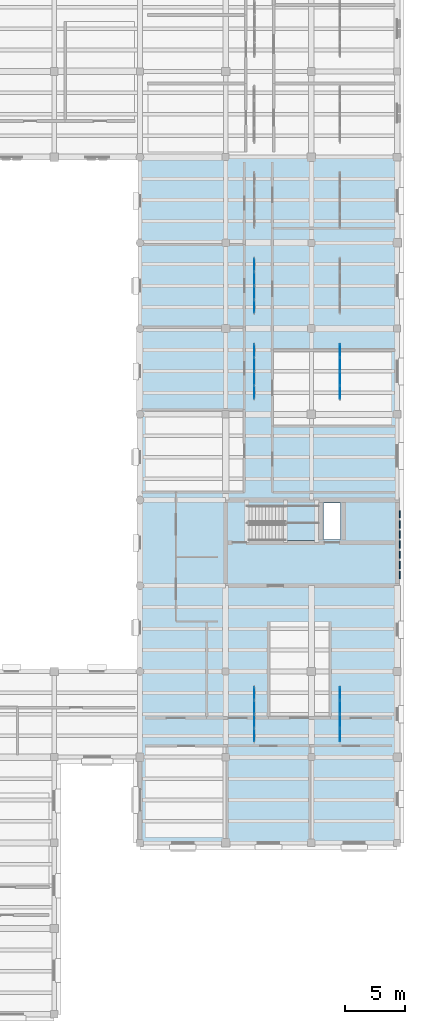
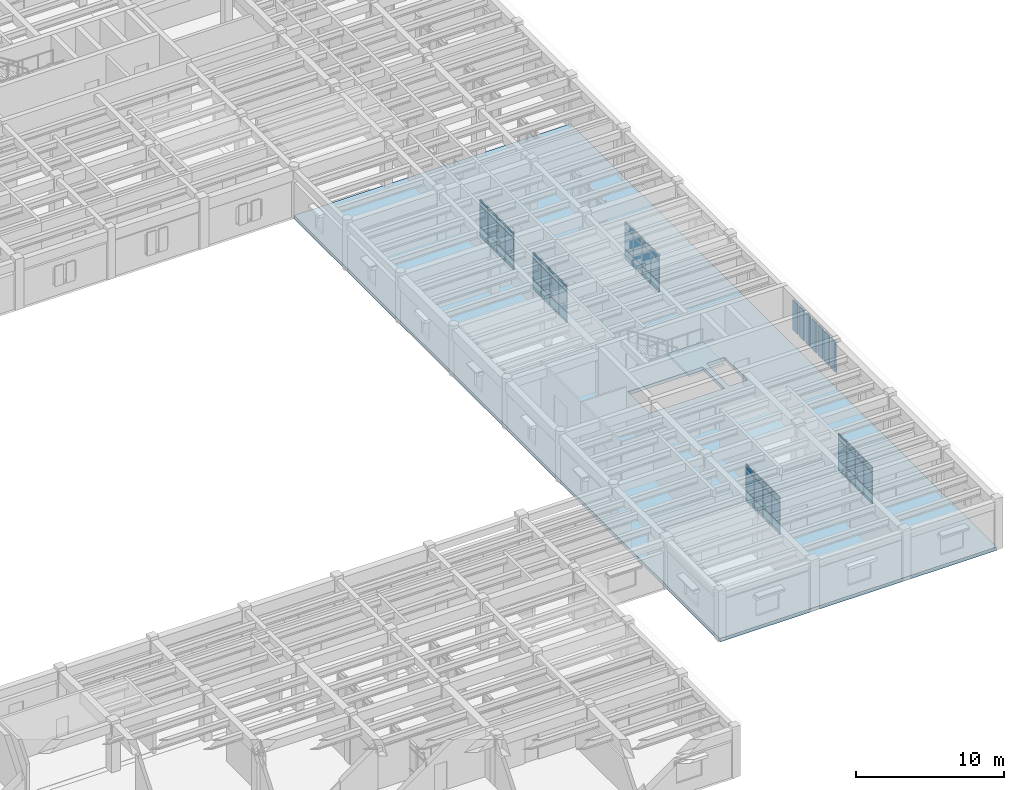
# One storey, part 31 of 66: 67 plates, 2 slabs, 6 elements without a shape of their own.
"""IFC4 building model written with IfcOpenShell, lengths in metres."""

from ifc_helpers import new_model, si_unit, direction, frame, origin, origin_2d, place, context, subcontext, project, spatial, polyline, rectangle, outline, extrude, material, layer, layer_set, type_object, element, aggregate, save


model = new_model("IFC4")

# Units and contexts
model_context = context("Model", 3, precision=1e-05, world=origin(), true_north=direction((0.0, 1.0)))
body_context = subcontext(model_context, "Body", "Model", "MODEL_VIEW")
ifc_project = project(units=[si_unit("LENGTHUNIT", "METRE"), si_unit("AREAUNIT", "SQUARE_METRE"), si_unit("VOLUMEUNIT", "CUBIC_METRE"), si_unit("PLANEANGLEUNIT", "RADIAN"), si_unit("MASSUNIT", "GRAM", prefix="KILO")], contexts=[model_context])

# Site, building, storey
site_placement = place(None, origin())
site = spatial("IfcSite", under=ifc_project, at=site_placement, CompositionType="ELEMENT")
building_placement = place(site_placement, origin())
building = spatial("IfcBuilding", under=site, at=building_placement, Name="Mithqara Police Headquarters", CompositionType="ELEMENT")
storey_placement = place(building_placement, frame((0.0, 0.0, 9.60009765625)))
storey = spatial("IfcBuildingStorey", under=building, at=storey_placement, Name="L02", CompositionType="ELEMENT", Elevation=9.60009765625)

# Curtain wall, plates
ifc_material_1 = material(Name="Bronze anodised aluminium 6063-T6", Category="aluminium")
curtain_wall_type = type_object("IfcCurtainWallType", Name="CURTAIN WALL 4700X3220", PredefinedType="USERDEFINED", material=ifc_material_1)
curtain_wall_1_placement = place(storey_placement, origin())
curtain_wall_1 = element("IfcCurtainWall", 1, at=curtain_wall_1_placement, inside=storey, type_object=curtain_wall_type, Name="L02 Unitised Glazing CW-16 (CW-INT-L02-X21-Y04-0)", ObjectType="UNITISED GLAZING", PredefinedType="USERDEFINED")
ifc_material_2 = material(Name="Spectrally selective double low-e glass", Category="glass")
ifc_layer_1 = layer(ifc_material_2, 0.028076171875, Name="Spectrally selective double low-e glass")
ifc_layer_set_1 = layer_set([ifc_layer_1], Name="Spectrally selective double low-e glass")
plate_type_1 = type_object("IfcPlateType", Name="CWPANEL GLASS28", PredefinedType="CURTAIN_PANEL", material=ifc_layer_set_1)
plate_1_placement = place(storey_placement, frame((154.199951171875, 30.05615234375, 0.074951171875), z_axis=(0.0, 0.0, 1.0), x_axis=(0.0, 1.0, 0.0)))
plate_1 = element("IfcPlate", 2, at=plate_1_placement, type_object=plate_type_1, Name="CW-16 panel 1.1", PredefinedType="CURTAIN_PANEL", context=body_context, shape_type="SweptSolid", body=[
    extrude(rectangle(XDim=1.0625, YDim=0.028076171875, at=origin_2d()), origin(), (0.0, 0.0, 1.0), 0.78759765625),
])
plate_2_placement = place(storey_placement, frame((154.199951171875, 30.05615234375, 0.9375), z_axis=(0.0, 0.0, 1.0), x_axis=(0.0, 1.0, 0.0)))
plate_2 = element("IfcPlate", 3, at=plate_2_placement, type_object=plate_type_1, Name="CW-16 panel 1.2", PredefinedType="CURTAIN_PANEL", context=body_context, shape_type="SweptSolid", body=[
    extrude(rectangle(XDim=1.0625, YDim=0.028076171875, at=origin_2d()), origin(), (0.0, 0.0, 1.0), 1.695068359375),
])
plate_3_placement = place(storey_placement, frame((154.199951171875, 30.05615234375, 2.70751953125), z_axis=(0.0, 0.0, 1.0), x_axis=(0.0, 1.0, 0.0)))
plate_3 = element("IfcPlate", 4, at=plate_3_placement, type_object=plate_type_1, Name="CW-16 panel 1.3", PredefinedType="CURTAIN_PANEL", context=body_context, shape_type="SweptSolid", body=[
    extrude(rectangle(XDim=1.0625, YDim=0.028076171875, at=origin_2d()), origin(), (0.0, 0.0, 1.0), 0.4375),
])
plate_4_placement = place(storey_placement, frame((154.199951171875, 31.21240234375, 0.074951171875), z_axis=(0.0, 0.0, 1.0), x_axis=(0.0, 1.0, 0.0)))
plate_4 = element("IfcPlate", 5, at=plate_4_placement, type_object=plate_type_1, Name="CW-16 panel 2.1", PredefinedType="CURTAIN_PANEL", context=body_context, shape_type="SweptSolid", body=[
    extrude(rectangle(XDim=1.10009765625, YDim=0.028076171875, at=origin_2d()), origin(), (0.0, 0.0, 1.0), 0.78759765625),
])
plate_5_placement = place(storey_placement, frame((154.199951171875, 31.21240234375, 0.9375), z_axis=(0.0, 0.0, 1.0), x_axis=(0.0, 1.0, 0.0)))
plate_5 = element("IfcPlate", 6, at=plate_5_placement, type_object=plate_type_1, Name="CW-16 panel 2.2", PredefinedType="CURTAIN_PANEL", context=body_context, shape_type="SweptSolid", body=[
    extrude(rectangle(XDim=1.10009765625, YDim=0.028076171875, at=origin_2d()), origin(), (0.0, 0.0, 1.0), 1.695068359375),
])
plate_6_placement = place(storey_placement, frame((154.199951171875, 31.21240234375, 2.70751953125), z_axis=(0.0, 0.0, 1.0), x_axis=(0.0, 1.0, 0.0)))
plate_6 = element("IfcPlate", 7, at=plate_6_placement, type_object=plate_type_1, Name="CW-16 panel 2.3", PredefinedType="CURTAIN_PANEL", context=body_context, shape_type="SweptSolid", body=[
    extrude(rectangle(XDim=1.10009765625, YDim=0.028076171875, at=origin_2d()), origin(), (0.0, 0.0, 1.0), 0.4375),
])
plate_7_placement = place(storey_placement, frame((154.199951171875, 32.387451171875, 0.074951171875), z_axis=(0.0, 0.0, 1.0), x_axis=(0.0, 1.0, 0.0)))
plate_7 = element("IfcPlate", 8, at=plate_7_placement, type_object=plate_type_1, Name="CW-16 panel 3.1", PredefinedType="CURTAIN_PANEL", context=body_context, shape_type="SweptSolid", body=[
    extrude(rectangle(XDim=1.10009765625, YDim=0.028076171875, at=origin_2d()), origin(), (0.0, 0.0, 1.0), 0.78759765625),
])
plate_8_placement = place(storey_placement, frame((154.199951171875, 32.387451171875, 0.9375), z_axis=(0.0, 0.0, 1.0), x_axis=(0.0, 1.0, 0.0)))
plate_8 = element("IfcPlate", 9, at=plate_8_placement, type_object=plate_type_1, Name="CW-16 panel 3.2", PredefinedType="CURTAIN_PANEL", context=body_context, shape_type="SweptSolid", body=[
    extrude(rectangle(XDim=1.10009765625, YDim=0.028076171875, at=origin_2d()), origin(), (0.0, 0.0, 1.0), 1.695068359375),
])
plate_9_placement = place(storey_placement, frame((154.199951171875, 32.387451171875, 2.70751953125), z_axis=(0.0, 0.0, 1.0), x_axis=(0.0, 1.0, 0.0)))
plate_9 = element("IfcPlate", 10, at=plate_9_placement, type_object=plate_type_1, Name="CW-16 panel 3.3", PredefinedType="CURTAIN_PANEL", context=body_context, shape_type="SweptSolid", body=[
    extrude(rectangle(XDim=1.10009765625, YDim=0.028076171875, at=origin_2d()), origin(), (0.0, 0.0, 1.0), 0.4375),
])
plate_10_placement = place(storey_placement, frame((154.199951171875, 33.543701171875, 0.074951171875), z_axis=(0.0, 0.0, 1.0), x_axis=(0.0, 1.0, 0.0)))
plate_10 = element("IfcPlate", 11, at=plate_10_placement, type_object=plate_type_1, Name="CW-16 panel 4.1", PredefinedType="CURTAIN_PANEL", context=body_context, shape_type="SweptSolid", body=[
    extrude(rectangle(XDim=1.0625, YDim=0.028076171875, at=origin_2d()), origin(), (0.0, 0.0, 1.0), 0.78759765625),
])
plate_11_placement = place(storey_placement, frame((154.199951171875, 33.543701171875, 0.9375), z_axis=(0.0, 0.0, 1.0), x_axis=(0.0, 1.0, 0.0)))
plate_11 = element("IfcPlate", 12, at=plate_11_placement, type_object=plate_type_1, Name="CW-16 panel 4.2", PredefinedType="CURTAIN_PANEL", context=body_context, shape_type="SweptSolid", body=[
    extrude(rectangle(XDim=1.0625, YDim=0.028076171875, at=origin_2d()), origin(), (0.0, 0.0, 1.0), 1.695068359375),
])
plate_12_placement = place(storey_placement, frame((154.199951171875, 33.543701171875, 2.70751953125), z_axis=(0.0, 0.0, 1.0), x_axis=(0.0, 1.0, 0.0)))
plate_12 = element("IfcPlate", 13, at=plate_12_placement, type_object=plate_type_1, Name="CW-16 panel 4.3", PredefinedType="CURTAIN_PANEL", context=body_context, shape_type="SweptSolid", body=[
    extrude(rectangle(XDim=1.0625, YDim=0.028076171875, at=origin_2d()), origin(), (0.0, 0.0, 1.0), 0.4375),
])
aggregate(curtain_wall_1, [plate_1, plate_2, plate_3, plate_4, plate_5, plate_6, plate_7, plate_8, plate_9, plate_10, plate_11, plate_12])

curtain_wall_2_placement = place(storey_placement, origin())
curtain_wall_2 = element("IfcCurtainWall", 14, at=curtain_wall_2_placement, inside=storey, type_object=curtain_wall_type, Name="L02 Unitised Glazing CW-16 (CW-INT-L02-X21-Y08-0)", ObjectType="UNITISED GLAZING", PredefinedType="USERDEFINED")
plate_13_placement = place(storey_placement, frame((154.199951171875, 58.856201171875, 0.074951171875), z_axis=(0.0, 0.0, 1.0), x_axis=(0.0, 1.0, 0.0)))
plate_13 = element("IfcPlate", 15, at=plate_13_placement, type_object=plate_type_1, Name="CW-16 panel 1.1", PredefinedType="CURTAIN_PANEL", context=body_context, shape_type="SweptSolid", body=[
    extrude(rectangle(XDim=1.0625, YDim=0.028076171875, at=origin_2d()), origin(), (0.0, 0.0, 1.0), 0.78759765625),
])
plate_14_placement = place(storey_placement, frame((154.199951171875, 58.856201171875, 0.9375), z_axis=(0.0, 0.0, 1.0), x_axis=(0.0, 1.0, 0.0)))
plate_14 = element("IfcPlate", 16, at=plate_14_placement, type_object=plate_type_1, Name="CW-16 panel 1.2", PredefinedType="CURTAIN_PANEL", context=body_context, shape_type="SweptSolid", body=[
    extrude(rectangle(XDim=1.0625, YDim=0.028076171875, at=origin_2d()), origin(), (0.0, 0.0, 1.0), 1.695068359375),
])
plate_15_placement = place(storey_placement, frame((154.199951171875, 58.856201171875, 2.70751953125), z_axis=(0.0, 0.0, 1.0), x_axis=(0.0, 1.0, 0.0)))
plate_15 = element("IfcPlate", 17, at=plate_15_placement, type_object=plate_type_1, Name="CW-16 panel 1.3", PredefinedType="CURTAIN_PANEL", context=body_context, shape_type="SweptSolid", body=[
    extrude(rectangle(XDim=1.0625, YDim=0.028076171875, at=origin_2d()), origin(), (0.0, 0.0, 1.0), 0.4375),
])
plate_16_placement = place(storey_placement, frame((154.199951171875, 60.012451171875, 0.074951171875), z_axis=(0.0, 0.0, 1.0), x_axis=(0.0, 1.0, 0.0)))
plate_16 = element("IfcPlate", 18, at=plate_16_placement, type_object=plate_type_1, Name="CW-16 panel 2.1", PredefinedType="CURTAIN_PANEL", context=body_context, shape_type="SweptSolid", body=[
    extrude(rectangle(XDim=1.10009765625, YDim=0.028076171875, at=origin_2d()), origin(), (0.0, 0.0, 1.0), 0.78759765625),
])
plate_17_placement = place(storey_placement, frame((154.199951171875, 60.012451171875, 0.9375), z_axis=(0.0, 0.0, 1.0), x_axis=(0.0, 1.0, 0.0)))
plate_17 = element("IfcPlate", 19, at=plate_17_placement, type_object=plate_type_1, Name="CW-16 panel 2.2", PredefinedType="CURTAIN_PANEL", context=body_context, shape_type="SweptSolid", body=[
    extrude(rectangle(XDim=1.10009765625, YDim=0.028076171875, at=origin_2d()), origin(), (0.0, 0.0, 1.0), 1.695068359375),
])
plate_18_placement = place(storey_placement, frame((154.199951171875, 60.012451171875, 2.70751953125), z_axis=(0.0, 0.0, 1.0), x_axis=(0.0, 1.0, 0.0)))
plate_18 = element("IfcPlate", 20, at=plate_18_placement, type_object=plate_type_1, Name="CW-16 panel 2.3", PredefinedType="CURTAIN_PANEL", context=body_context, shape_type="SweptSolid", body=[
    extrude(rectangle(XDim=1.10009765625, YDim=0.028076171875, at=origin_2d()), origin(), (0.0, 0.0, 1.0), 0.4375),
])
plate_19_placement = place(storey_placement, frame((154.199951171875, 61.1875, 0.074951171875), z_axis=(0.0, 0.0, 1.0), x_axis=(0.0, 1.0, 0.0)))
plate_19 = element("IfcPlate", 21, at=plate_19_placement, type_object=plate_type_1, Name="CW-16 panel 3.1", PredefinedType="CURTAIN_PANEL", context=body_context, shape_type="SweptSolid", body=[
    extrude(rectangle(XDim=1.10009765625, YDim=0.028076171875, at=origin_2d()), origin(), (0.0, 0.0, 1.0), 0.78759765625),
])
plate_20_placement = place(storey_placement, frame((154.199951171875, 61.1875, 0.9375), z_axis=(0.0, 0.0, 1.0), x_axis=(0.0, 1.0, 0.0)))
plate_20 = element("IfcPlate", 22, at=plate_20_placement, type_object=plate_type_1, Name="CW-16 panel 3.2", PredefinedType="CURTAIN_PANEL", context=body_context, shape_type="SweptSolid", body=[
    extrude(rectangle(XDim=1.10009765625, YDim=0.028076171875, at=origin_2d()), origin(), (0.0, 0.0, 1.0), 1.695068359375),
])
plate_21_placement = place(storey_placement, frame((154.199951171875, 61.1875, 2.70751953125), z_axis=(0.0, 0.0, 1.0), x_axis=(0.0, 1.0, 0.0)))
plate_21 = element("IfcPlate", 23, at=plate_21_placement, type_object=plate_type_1, Name="CW-16 panel 3.3", PredefinedType="CURTAIN_PANEL", context=body_context, shape_type="SweptSolid", body=[
    extrude(rectangle(XDim=1.10009765625, YDim=0.028076171875, at=origin_2d()), origin(), (0.0, 0.0, 1.0), 0.4375),
])
plate_22_placement = place(storey_placement, frame((154.199951171875, 62.34375, 0.074951171875), z_axis=(0.0, 0.0, 1.0), x_axis=(0.0, 1.0, 0.0)))
plate_22 = element("IfcPlate", 24, at=plate_22_placement, type_object=plate_type_1, Name="CW-16 panel 4.1", PredefinedType="CURTAIN_PANEL", context=body_context, shape_type="SweptSolid", body=[
    extrude(rectangle(XDim=1.0625, YDim=0.028076171875, at=origin_2d()), origin(), (0.0, 0.0, 1.0), 0.78759765625),
])
plate_23_placement = place(storey_placement, frame((154.199951171875, 62.34375, 0.9375), z_axis=(0.0, 0.0, 1.0), x_axis=(0.0, 1.0, 0.0)))
plate_23 = element("IfcPlate", 25, at=plate_23_placement, type_object=plate_type_1, Name="CW-16 panel 4.2", PredefinedType="CURTAIN_PANEL", context=body_context, shape_type="SweptSolid", body=[
    extrude(rectangle(XDim=1.0625, YDim=0.028076171875, at=origin_2d()), origin(), (0.0, 0.0, 1.0), 1.695068359375),
])
plate_24_placement = place(storey_placement, frame((154.199951171875, 62.34375, 2.70751953125), z_axis=(0.0, 0.0, 1.0), x_axis=(0.0, 1.0, 0.0)))
plate_24 = element("IfcPlate", 26, at=plate_24_placement, type_object=plate_type_1, Name="CW-16 panel 4.3", PredefinedType="CURTAIN_PANEL", context=body_context, shape_type="SweptSolid", body=[
    extrude(rectangle(XDim=1.0625, YDim=0.028076171875, at=origin_2d()), origin(), (0.0, 0.0, 1.0), 0.4375),
])
aggregate(curtain_wall_2, [plate_13, plate_14, plate_15, plate_16, plate_17, plate_18, plate_19, plate_20, plate_21, plate_22, plate_23, plate_24])

curtain_wall_3_placement = place(storey_placement, origin())
curtain_wall_3 = element("IfcCurtainWall", 27, at=curtain_wall_3_placement, inside=storey, type_object=curtain_wall_type, Name="L02 Unitised Glazing CW-16 (CW-INT-L02-X21-Y09-0)", ObjectType="UNITISED GLAZING", PredefinedType="USERDEFINED")
plate_25_placement = place(storey_placement, frame((154.199951171875, 66.05615234375, 0.074951171875), z_axis=(0.0, 0.0, 1.0), x_axis=(0.0, 1.0, 0.0)))
plate_25 = element("IfcPlate", 28, at=plate_25_placement, type_object=plate_type_1, Name="CW-16 panel 1.1", PredefinedType="CURTAIN_PANEL", context=body_context, shape_type="SweptSolid", body=[
    extrude(rectangle(XDim=1.0625, YDim=0.028076171875, at=origin_2d()), origin(), (0.0, 0.0, 1.0), 0.78759765625),
])
plate_26_placement = place(storey_placement, frame((154.199951171875, 66.05615234375, 0.9375), z_axis=(0.0, 0.0, 1.0), x_axis=(0.0, 1.0, 0.0)))
plate_26 = element("IfcPlate", 29, at=plate_26_placement, type_object=plate_type_1, Name="CW-16 panel 1.2", PredefinedType="CURTAIN_PANEL", context=body_context, shape_type="SweptSolid", body=[
    extrude(rectangle(XDim=1.0625, YDim=0.028076171875, at=origin_2d()), origin(), (0.0, 0.0, 1.0), 1.695068359375),
])
plate_27_placement = place(storey_placement, frame((154.199951171875, 66.05615234375, 2.70751953125), z_axis=(0.0, 0.0, 1.0), x_axis=(0.0, 1.0, 0.0)))
plate_27 = element("IfcPlate", 30, at=plate_27_placement, type_object=plate_type_1, Name="CW-16 panel 1.3", PredefinedType="CURTAIN_PANEL", context=body_context, shape_type="SweptSolid", body=[
    extrude(rectangle(XDim=1.0625, YDim=0.028076171875, at=origin_2d()), origin(), (0.0, 0.0, 1.0), 0.4375),
])
plate_28_placement = place(storey_placement, frame((154.199951171875, 67.21240234375, 0.074951171875), z_axis=(0.0, 0.0, 1.0), x_axis=(0.0, 1.0, 0.0)))
plate_28 = element("IfcPlate", 31, at=plate_28_placement, type_object=plate_type_1, Name="CW-16 panel 2.1", PredefinedType="CURTAIN_PANEL", context=body_context, shape_type="SweptSolid", body=[
    extrude(rectangle(XDim=1.10009765625, YDim=0.028076171875, at=origin_2d()), origin(), (0.0, 0.0, 1.0), 0.78759765625),
])
plate_29_placement = place(storey_placement, frame((154.199951171875, 67.21240234375, 0.9375), z_axis=(0.0, 0.0, 1.0), x_axis=(0.0, 1.0, 0.0)))
plate_29 = element("IfcPlate", 32, at=plate_29_placement, type_object=plate_type_1, Name="CW-16 panel 2.2", PredefinedType="CURTAIN_PANEL", context=body_context, shape_type="SweptSolid", body=[
    extrude(rectangle(XDim=1.10009765625, YDim=0.028076171875, at=origin_2d()), origin(), (0.0, 0.0, 1.0), 1.695068359375),
])
plate_30_placement = place(storey_placement, frame((154.199951171875, 67.21240234375, 2.70751953125), z_axis=(0.0, 0.0, 1.0), x_axis=(0.0, 1.0, 0.0)))
plate_30 = element("IfcPlate", 33, at=plate_30_placement, type_object=plate_type_1, Name="CW-16 panel 2.3", PredefinedType="CURTAIN_PANEL", context=body_context, shape_type="SweptSolid", body=[
    extrude(rectangle(XDim=1.10009765625, YDim=0.028076171875, at=origin_2d()), origin(), (0.0, 0.0, 1.0), 0.4375),
])
plate_31_placement = place(storey_placement, frame((154.199951171875, 68.387451171875, 0.074951171875), z_axis=(0.0, 0.0, 1.0), x_axis=(0.0, 1.0, 0.0)))
plate_31 = element("IfcPlate", 34, at=plate_31_placement, type_object=plate_type_1, Name="CW-16 panel 3.1", PredefinedType="CURTAIN_PANEL", context=body_context, shape_type="SweptSolid", body=[
    extrude(rectangle(XDim=1.10009765625, YDim=0.028076171875, at=origin_2d()), origin(), (0.0, 0.0, 1.0), 0.78759765625),
])
plate_32_placement = place(storey_placement, frame((154.199951171875, 68.387451171875, 0.9375), z_axis=(0.0, 0.0, 1.0), x_axis=(0.0, 1.0, 0.0)))
plate_32 = element("IfcPlate", 35, at=plate_32_placement, type_object=plate_type_1, Name="CW-16 panel 3.2", PredefinedType="CURTAIN_PANEL", context=body_context, shape_type="SweptSolid", body=[
    extrude(rectangle(XDim=1.10009765625, YDim=0.028076171875, at=origin_2d()), origin(), (0.0, 0.0, 1.0), 1.695068359375),
])
plate_33_placement = place(storey_placement, frame((154.199951171875, 68.387451171875, 2.70751953125), z_axis=(0.0, 0.0, 1.0), x_axis=(0.0, 1.0, 0.0)))
plate_33 = element("IfcPlate", 36, at=plate_33_placement, type_object=plate_type_1, Name="CW-16 panel 3.3", PredefinedType="CURTAIN_PANEL", context=body_context, shape_type="SweptSolid", body=[
    extrude(rectangle(XDim=1.10009765625, YDim=0.028076171875, at=origin_2d()), origin(), (0.0, 0.0, 1.0), 0.4375),
])
plate_34_placement = place(storey_placement, frame((154.199951171875, 69.543701171875, 0.074951171875), z_axis=(0.0, 0.0, 1.0), x_axis=(0.0, 1.0, 0.0)))
plate_34 = element("IfcPlate", 37, at=plate_34_placement, type_object=plate_type_1, Name="CW-16 panel 4.1", PredefinedType="CURTAIN_PANEL", context=body_context, shape_type="SweptSolid", body=[
    extrude(rectangle(XDim=1.0625, YDim=0.028076171875, at=origin_2d()), origin(), (0.0, 0.0, 1.0), 0.78759765625),
])
plate_35_placement = place(storey_placement, frame((154.199951171875, 69.543701171875, 0.9375), z_axis=(0.0, 0.0, 1.0), x_axis=(0.0, 1.0, 0.0)))
plate_35 = element("IfcPlate", 38, at=plate_35_placement, type_object=plate_type_1, Name="CW-16 panel 4.2", PredefinedType="CURTAIN_PANEL", context=body_context, shape_type="SweptSolid", body=[
    extrude(rectangle(XDim=1.0625, YDim=0.028076171875, at=origin_2d()), origin(), (0.0, 0.0, 1.0), 1.695068359375),
])
plate_36_placement = place(storey_placement, frame((154.199951171875, 69.543701171875, 2.70751953125), z_axis=(0.0, 0.0, 1.0), x_axis=(0.0, 1.0, 0.0)))
plate_36 = element("IfcPlate", 39, at=plate_36_placement, type_object=plate_type_1, Name="CW-16 panel 4.3", PredefinedType="CURTAIN_PANEL", context=body_context, shape_type="SweptSolid", body=[
    extrude(rectangle(XDim=1.0625, YDim=0.028076171875, at=origin_2d()), origin(), (0.0, 0.0, 1.0), 0.4375),
])
aggregate(curtain_wall_3, [plate_25, plate_26, plate_27, plate_28, plate_29, plate_30, plate_31, plate_32, plate_33, plate_34, plate_35, plate_36])

curtain_wall_4_placement = place(storey_placement, origin())
curtain_wall_4 = element("IfcCurtainWall", 40, at=curtain_wall_4_placement, inside=storey, type_object=curtain_wall_type, Name="L02 Unitised Glazing CW-16 (CW-INT-L02-X22-Y04-0)", ObjectType="UNITISED GLAZING", PredefinedType="USERDEFINED")
plate_37_placement = place(storey_placement, frame((161.39990234375, 30.05615234375, 0.074951171875), z_axis=(0.0, 0.0, 1.0), x_axis=(0.0, 1.0, 0.0)))
plate_37 = element("IfcPlate", 41, at=plate_37_placement, type_object=plate_type_1, Name="CW-16 panel 1.1", PredefinedType="CURTAIN_PANEL", context=body_context, shape_type="SweptSolid", body=[
    extrude(rectangle(XDim=1.0625, YDim=0.028076171875, at=origin_2d()), origin(), (0.0, 0.0, 1.0), 0.78759765625),
])
plate_38_placement = place(storey_placement, frame((161.39990234375, 30.05615234375, 0.9375), z_axis=(0.0, 0.0, 1.0), x_axis=(0.0, 1.0, 0.0)))
plate_38 = element("IfcPlate", 42, at=plate_38_placement, type_object=plate_type_1, Name="CW-16 panel 1.2", PredefinedType="CURTAIN_PANEL", context=body_context, shape_type="SweptSolid", body=[
    extrude(rectangle(XDim=1.0625, YDim=0.028076171875, at=origin_2d()), origin(), (0.0, 0.0, 1.0), 1.695068359375),
])
plate_39_placement = place(storey_placement, frame((161.39990234375, 30.05615234375, 2.70751953125), z_axis=(0.0, 0.0, 1.0), x_axis=(0.0, 1.0, 0.0)))
plate_39 = element("IfcPlate", 43, at=plate_39_placement, type_object=plate_type_1, Name="CW-16 panel 1.3", PredefinedType="CURTAIN_PANEL", context=body_context, shape_type="SweptSolid", body=[
    extrude(rectangle(XDim=1.0625, YDim=0.028076171875, at=origin_2d()), origin(), (0.0, 0.0, 1.0), 0.4375),
])
plate_40_placement = place(storey_placement, frame((161.39990234375, 31.21240234375, 0.074951171875), z_axis=(0.0, 0.0, 1.0), x_axis=(0.0, 1.0, 0.0)))
plate_40 = element("IfcPlate", 44, at=plate_40_placement, type_object=plate_type_1, Name="CW-16 panel 2.1", PredefinedType="CURTAIN_PANEL", context=body_context, shape_type="SweptSolid", body=[
    extrude(rectangle(XDim=1.10009765625, YDim=0.028076171875, at=origin_2d()), origin(), (0.0, 0.0, 1.0), 0.78759765625),
])
plate_41_placement = place(storey_placement, frame((161.39990234375, 31.21240234375, 0.9375), z_axis=(0.0, 0.0, 1.0), x_axis=(0.0, 1.0, 0.0)))
plate_41 = element("IfcPlate", 45, at=plate_41_placement, type_object=plate_type_1, Name="CW-16 panel 2.2", PredefinedType="CURTAIN_PANEL", context=body_context, shape_type="SweptSolid", body=[
    extrude(rectangle(XDim=1.10009765625, YDim=0.028076171875, at=origin_2d()), origin(), (0.0, 0.0, 1.0), 1.695068359375),
])
plate_42_placement = place(storey_placement, frame((161.39990234375, 31.21240234375, 2.70751953125), z_axis=(0.0, 0.0, 1.0), x_axis=(0.0, 1.0, 0.0)))
plate_42 = element("IfcPlate", 46, at=plate_42_placement, type_object=plate_type_1, Name="CW-16 panel 2.3", PredefinedType="CURTAIN_PANEL", context=body_context, shape_type="SweptSolid", body=[
    extrude(rectangle(XDim=1.10009765625, YDim=0.028076171875, at=origin_2d()), origin(), (0.0, 0.0, 1.0), 0.4375),
])
plate_43_placement = place(storey_placement, frame((161.39990234375, 32.387451171875, 0.074951171875), z_axis=(0.0, 0.0, 1.0), x_axis=(0.0, 1.0, 0.0)))
plate_43 = element("IfcPlate", 47, at=plate_43_placement, type_object=plate_type_1, Name="CW-16 panel 3.1", PredefinedType="CURTAIN_PANEL", context=body_context, shape_type="SweptSolid", body=[
    extrude(rectangle(XDim=1.10009765625, YDim=0.028076171875, at=origin_2d()), origin(), (0.0, 0.0, 1.0), 0.78759765625),
])
plate_44_placement = place(storey_placement, frame((161.39990234375, 32.387451171875, 0.9375), z_axis=(0.0, 0.0, 1.0), x_axis=(0.0, 1.0, 0.0)))
plate_44 = element("IfcPlate", 48, at=plate_44_placement, type_object=plate_type_1, Name="CW-16 panel 3.2", PredefinedType="CURTAIN_PANEL", context=body_context, shape_type="SweptSolid", body=[
    extrude(rectangle(XDim=1.10009765625, YDim=0.028076171875, at=origin_2d()), origin(), (0.0, 0.0, 1.0), 1.695068359375),
])
plate_45_placement = place(storey_placement, frame((161.39990234375, 32.387451171875, 2.70751953125), z_axis=(0.0, 0.0, 1.0), x_axis=(0.0, 1.0, 0.0)))
plate_45 = element("IfcPlate", 49, at=plate_45_placement, type_object=plate_type_1, Name="CW-16 panel 3.3", PredefinedType="CURTAIN_PANEL", context=body_context, shape_type="SweptSolid", body=[
    extrude(rectangle(XDim=1.10009765625, YDim=0.028076171875, at=origin_2d()), origin(), (0.0, 0.0, 1.0), 0.4375),
])
plate_46_placement = place(storey_placement, frame((161.39990234375, 33.543701171875, 0.074951171875), z_axis=(0.0, 0.0, 1.0), x_axis=(0.0, 1.0, 0.0)))
plate_46 = element("IfcPlate", 50, at=plate_46_placement, type_object=plate_type_1, Name="CW-16 panel 4.1", PredefinedType="CURTAIN_PANEL", context=body_context, shape_type="SweptSolid", body=[
    extrude(rectangle(XDim=1.0625, YDim=0.028076171875, at=origin_2d()), origin(), (0.0, 0.0, 1.0), 0.78759765625),
])
plate_47_placement = place(storey_placement, frame((161.39990234375, 33.543701171875, 0.9375), z_axis=(0.0, 0.0, 1.0), x_axis=(0.0, 1.0, 0.0)))
plate_47 = element("IfcPlate", 51, at=plate_47_placement, type_object=plate_type_1, Name="CW-16 panel 4.2", PredefinedType="CURTAIN_PANEL", context=body_context, shape_type="SweptSolid", body=[
    extrude(rectangle(XDim=1.0625, YDim=0.028076171875, at=origin_2d()), origin(), (0.0, 0.0, 1.0), 1.695068359375),
])
plate_48_placement = place(storey_placement, frame((161.39990234375, 33.543701171875, 2.70751953125), z_axis=(0.0, 0.0, 1.0), x_axis=(0.0, 1.0, 0.0)))
plate_48 = element("IfcPlate", 52, at=plate_48_placement, type_object=plate_type_1, Name="CW-16 panel 4.3", PredefinedType="CURTAIN_PANEL", context=body_context, shape_type="SweptSolid", body=[
    extrude(rectangle(XDim=1.0625, YDim=0.028076171875, at=origin_2d()), origin(), (0.0, 0.0, 1.0), 0.4375),
])
aggregate(curtain_wall_4, [plate_37, plate_38, plate_39, plate_40, plate_41, plate_42, plate_43, plate_44, plate_45, plate_46, plate_47, plate_48])

curtain_wall_5_placement = place(storey_placement, origin())
curtain_wall_5 = element("IfcCurtainWall", 53, at=curtain_wall_5_placement, inside=storey, type_object=curtain_wall_type, Name="L02 Unitised Glazing CW-16 (CW-INT-L02-X22-Y08-0)", ObjectType="UNITISED GLAZING", PredefinedType="USERDEFINED")
ifc_material_3 = material(Name="Insulated bronze aluminium spandrel panel", Category="aluminium")
ifc_layer_2 = layer(ifc_material_3, 0.048095703125, Name="Insulated bronze aluminium spandrel panel")
ifc_layer_set_2 = layer_set([ifc_layer_2], Name="Insulated bronze aluminium spandrel panel")
plate_type_2 = type_object("IfcPlateType", Name="CWPANEL SPANDREL48", PredefinedType="CURTAIN_PANEL", material=ifc_layer_set_2)
plate_49_placement = place(storey_placement, frame((161.39990234375, 58.856201171875, 0.074951171875), z_axis=(0.0, 0.0, 1.0), x_axis=(0.0, 1.0, 0.0)))
plate_49 = element("IfcPlate", 54, at=plate_49_placement, type_object=plate_type_2, Name="CW-16 panel 1.1", PredefinedType="CURTAIN_PANEL", context=body_context, shape_type="SweptSolid", body=[
    extrude(rectangle(XDim=1.0625, YDim=0.048095703125, at=origin_2d()), origin(), (0.0, 0.0, 1.0), 0.78759765625),
])
plate_50_placement = place(storey_placement, frame((161.39990234375, 58.856201171875, 0.9375), z_axis=(0.0, 0.0, 1.0), x_axis=(0.0, 1.0, 0.0)))
plate_50 = element("IfcPlate", 55, at=plate_50_placement, type_object=plate_type_2, Name="CW-16 panel 1.2", PredefinedType="CURTAIN_PANEL", context=body_context, shape_type="SweptSolid", body=[
    extrude(rectangle(XDim=1.0625, YDim=0.048095703125, at=origin_2d()), origin(), (0.0, 0.0, 1.0), 1.695068359375),
])
plate_51_placement = place(storey_placement, frame((161.39990234375, 58.856201171875, 2.70751953125), z_axis=(0.0, 0.0, 1.0), x_axis=(0.0, 1.0, 0.0)))
plate_51 = element("IfcPlate", 56, at=plate_51_placement, type_object=plate_type_2, Name="CW-16 panel 1.3", PredefinedType="CURTAIN_PANEL", context=body_context, shape_type="SweptSolid", body=[
    extrude(rectangle(XDim=1.0625, YDim=0.048095703125, at=origin_2d()), origin(), (0.0, 0.0, 1.0), 0.4375),
])
plate_52_placement = place(storey_placement, frame((161.39990234375, 60.012451171875, 0.074951171875), z_axis=(0.0, 0.0, 1.0), x_axis=(0.0, 1.0, 0.0)))
plate_52 = element("IfcPlate", 57, at=plate_52_placement, type_object=plate_type_2, Name="CW-16 panel 2.1", PredefinedType="CURTAIN_PANEL", context=body_context, shape_type="SweptSolid", body=[
    extrude(rectangle(XDim=1.10009765625, YDim=0.048095703125, at=origin_2d()), origin(), (0.0, 0.0, 1.0), 0.78759765625),
])
plate_53_placement = place(storey_placement, frame((161.39990234375, 60.012451171875, 0.9375), z_axis=(0.0, 0.0, 1.0), x_axis=(0.0, 1.0, 0.0)))
plate_53 = element("IfcPlate", 58, at=plate_53_placement, type_object=plate_type_2, Name="CW-16 panel 2.2", PredefinedType="CURTAIN_PANEL", context=body_context, shape_type="SweptSolid", body=[
    extrude(rectangle(XDim=1.10009765625, YDim=0.048095703125, at=origin_2d()), origin(), (0.0, 0.0, 1.0), 1.695068359375),
])
plate_54_placement = place(storey_placement, frame((161.39990234375, 60.012451171875, 2.70751953125), z_axis=(0.0, 0.0, 1.0), x_axis=(0.0, 1.0, 0.0)))
plate_54 = element("IfcPlate", 59, at=plate_54_placement, type_object=plate_type_2, Name="CW-16 panel 2.3", PredefinedType="CURTAIN_PANEL", context=body_context, shape_type="SweptSolid", body=[
    extrude(rectangle(XDim=1.10009765625, YDim=0.048095703125, at=origin_2d()), origin(), (0.0, 0.0, 1.0), 0.4375),
])
plate_55_placement = place(storey_placement, frame((161.39990234375, 61.1875, 0.074951171875), z_axis=(0.0, 0.0, 1.0), x_axis=(0.0, 1.0, 0.0)))
plate_55 = element("IfcPlate", 60, at=plate_55_placement, type_object=plate_type_2, Name="CW-16 panel 3.1", PredefinedType="CURTAIN_PANEL", context=body_context, shape_type="SweptSolid", body=[
    extrude(rectangle(XDim=1.10009765625, YDim=0.048095703125, at=origin_2d()), origin(), (0.0, 0.0, 1.0), 0.78759765625),
])
plate_56_placement = place(storey_placement, frame((161.39990234375, 61.1875, 0.9375), z_axis=(0.0, 0.0, 1.0), x_axis=(0.0, 1.0, 0.0)))
plate_56 = element("IfcPlate", 61, at=plate_56_placement, type_object=plate_type_2, Name="CW-16 panel 3.2", PredefinedType="CURTAIN_PANEL", context=body_context, shape_type="SweptSolid", body=[
    extrude(rectangle(XDim=1.10009765625, YDim=0.048095703125, at=origin_2d()), origin(), (0.0, 0.0, 1.0), 1.695068359375),
])
plate_57_placement = place(storey_placement, frame((161.39990234375, 61.1875, 2.70751953125), z_axis=(0.0, 0.0, 1.0), x_axis=(0.0, 1.0, 0.0)))
plate_57 = element("IfcPlate", 62, at=plate_57_placement, type_object=plate_type_2, Name="CW-16 panel 3.3", PredefinedType="CURTAIN_PANEL", context=body_context, shape_type="SweptSolid", body=[
    extrude(rectangle(XDim=1.10009765625, YDim=0.048095703125, at=origin_2d()), origin(), (0.0, 0.0, 1.0), 0.4375),
])
plate_58_placement = place(storey_placement, frame((161.39990234375, 62.34375, 0.074951171875), z_axis=(0.0, 0.0, 1.0), x_axis=(0.0, 1.0, 0.0)))
plate_58 = element("IfcPlate", 63, at=plate_58_placement, type_object=plate_type_2, Name="CW-16 panel 4.1", PredefinedType="CURTAIN_PANEL", context=body_context, shape_type="SweptSolid", body=[
    extrude(rectangle(XDim=1.0625, YDim=0.048095703125, at=origin_2d()), origin(), (0.0, 0.0, 1.0), 0.78759765625),
])
plate_59_placement = place(storey_placement, frame((161.39990234375, 62.34375, 0.9375), z_axis=(0.0, 0.0, 1.0), x_axis=(0.0, 1.0, 0.0)))
plate_59 = element("IfcPlate", 64, at=plate_59_placement, type_object=plate_type_2, Name="CW-16 panel 4.2", PredefinedType="CURTAIN_PANEL", context=body_context, shape_type="SweptSolid", body=[
    extrude(rectangle(XDim=1.0625, YDim=0.048095703125, at=origin_2d()), origin(), (0.0, 0.0, 1.0), 1.695068359375),
])
plate_60_placement = place(storey_placement, frame((161.39990234375, 62.34375, 2.70751953125), z_axis=(0.0, 0.0, 1.0), x_axis=(0.0, 1.0, 0.0)))
plate_60 = element("IfcPlate", 65, at=plate_60_placement, type_object=plate_type_2, Name="CW-16 panel 4.3", PredefinedType="CURTAIN_PANEL", context=body_context, shape_type="SweptSolid", body=[
    extrude(rectangle(XDim=1.0625, YDim=0.048095703125, at=origin_2d()), origin(), (0.0, 0.0, 1.0), 0.4375),
])
aggregate(curtain_wall_5, [plate_49, plate_50, plate_51, plate_52, plate_53, plate_54, plate_55, plate_56, plate_57, plate_58, plate_59, plate_60])

# Slab
ifc_material_4 = material(Name="Concrete C40/50", Category="concrete")
ifc_layer_3 = layer(ifc_material_4, 0.280029296875, Name="Concrete C40/50")
ifc_layer_set_3 = layer_set([ifc_layer_3], Name="Concrete C40/50")
slab_type_1 = type_object("IfcSlabType", Name="FLOOR SLAB 280", PredefinedType="FLOOR", material=ifc_layer_set_3)
slab_1_placement = place(storey_placement, frame((0.0, 0.0, -0.280029296875)))
element("IfcSlab", 66, at=slab_1_placement, inside=storey, type_object=slab_type_1, Name="L02 Structural Slab L02-V6E", PredefinedType="FLOOR", context=body_context, shape_type="SweptSolid", body=[
    extrude(outline(polyline([(166.199951171875, 21.0), (144.60009765625, 21.0), (144.60009765625, 28.199951171875), (144.60009765625, 35.39990234375), (144.60009765625, 78.60009765625), (146.39990234375, 78.60009765625), (150.60009765625, 78.60009765625), (166.199951171875, 78.60009765625), (166.199951171875, 21.0)]), holes=[polyline([(153.75, 46.39990234375), (159.60009765625, 46.39990234375), (159.60009765625, 49.300048828125), (153.75, 49.300048828125), (153.75, 46.39990234375)]), polyline([(161.449951171875, 46.469970703125), (161.449951171875, 49.550048828125), (160.030029296875, 49.550048828125), (160.030029296875, 46.469970703125), (161.449951171875, 46.469970703125)])]), origin(), (0.0, 0.0, 1.0), 0.280029296875),
])

# Stair, slab
stair_type = type_object("IfcStairType", Name="STAIR ST 04-R24", PredefinedType="HALF_TURN_STAIR", material=ifc_material_4)
stair_placement = place(storey_placement, origin())
stair = element("IfcStair", 67, at=stair_placement, inside=storey, type_object=stair_type, Name="L02 Core C4 Forensics East Exit Stair", PredefinedType="HALF_TURN_STAIR")
ifc_layer_4 = layer(ifc_material_4, 0.199951171875, Name="Concrete C40/50")
ifc_layer_set_4 = layer_set([ifc_layer_4], Name="Concrete C40/50")
slab_type_2 = type_object("IfcSlabType", Name="STAIR LANDING 200", PredefinedType="LANDING", material=ifc_layer_set_4)
slab_2_placement = place(storey_placement, frame((0.0, 0.0, 1.89990234375)))
slab_2 = element("IfcSlab", 68, at=slab_2_placement, type_object=slab_type_2, Name="ST-04 landing 1", PredefinedType="LANDING", context=body_context, shape_type="SweptSolid", body=[
    extrude(outline(polyline([(156.830078125, 46.39990234375), (159.60009765625, 46.39990234375), (159.60009765625, 49.300048828125), (156.830078125, 49.300048828125), (156.830078125, 46.39990234375)])), origin(), (0.0, 0.0, 1.0), 0.199951171875),
])
aggregate(stair, [slab_2])

# Plates
ifc_material_5 = material(Name="Limestone ashlar masonry, 45 MPa", Category="masonry")
ifc_layer_5 = layer(ifc_material_5, 0.10009765625, Name="Limestone ashlar masonry, 45 MPa")
ifc_layer_set_5 = layer_set([ifc_layer_5], Name="Limestone ashlar masonry, 45 MPa")
plate_type_3 = type_object("IfcPlateType", Name="STONE SCREEN 100", PredefinedType="USERDEFINED", material=ifc_layer_set_5)
for number, where, z_axis, x_axis, name in (
    (69, (166.43505859375, 43.5, 0.89990234375), (0.0, 0.0, 1.0), (0.0, 1.0, 0.0), "L02 Core C4 Pierced Vertical-Slit Screen 1"),
    (70, (166.43505859375, 44.35009765625, 0.89990234375), (0.0, 0.0, 1.0), (0.0, 1.0, 0.0), "L02 Core C4 Pierced Vertical-Slit Screen 2"),
    (71, (166.43505859375, 45.199951171875, 0.89990234375), (0.0, 0.0, 1.0), (0.0, 1.0, 0.0), "L02 Core C4 Pierced Vertical-Slit Screen 3"),
    (72, (166.43505859375, 46.050048828125, 0.89990234375), (0.0, 0.0, 1.0), (0.0, 1.0, 0.0), "L02 Core C4 Pierced Vertical-Slit Screen 4"),
    (73, (166.43505859375, 46.89990234375, 0.89990234375), (0.0, 0.0, 1.0), (0.0, 1.0, 0.0), "L02 Core C4 Pierced Vertical-Slit Screen 5"),
    (74, (166.43505859375, 47.75, 0.89990234375), (0.0, 0.0, 1.0), (0.0, 1.0, 0.0), "L02 Core C4 Pierced Vertical-Slit Screen 6"),
    (75, (166.43505859375, 48.60009765625, 0.89990234375), (0.0, 0.0, 1.0), (0.0, 1.0, 0.0), "L02 Core C4 Pierced Vertical-Slit Screen 7"),
):
    element("IfcPlate", number, at=place(storey_placement, frame(where, z_axis=z_axis, x_axis=x_axis)), inside=storey, type_object=plate_type_3, Name=name, ObjectType="STONE SCREEN", PredefinedType="USERDEFINED", context=body_context, shape_type="SweptSolid", body=[
        extrude(rectangle(XDim=0.6201171875, YDim=0.10009765625, at=origin_2d()), origin(), (0.0, 0.0, 1.0), 2.5),
    ])

save(model, "model.ifc")
